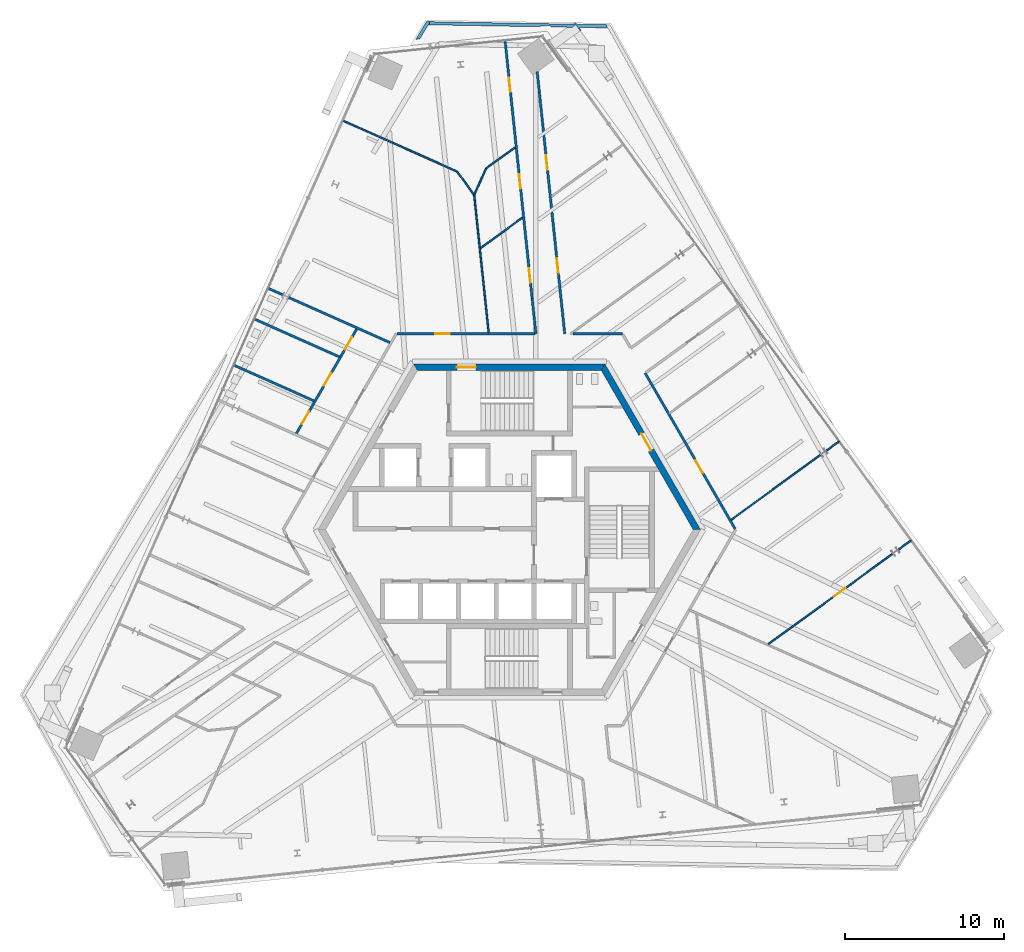
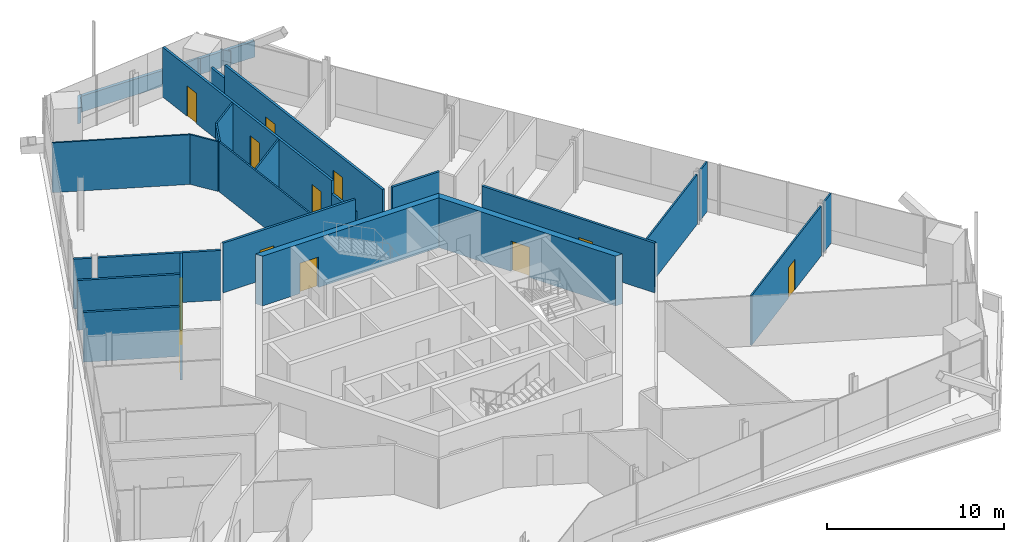
# One storey, part 16 of 21: 26 walls, 13 doors, 13 openings.
"""IFC4 building model written with IfcOpenShell, lengths in metres."""

from ifc_helpers import new_model, si_unit, direction, frame, frame_2d, origin, place, context, subcontext, project, spatial, polyline, rectangle, outline, extrude, source, transform, mapped, material, layer, layer_set, type_object, element, fill, save


model = new_model("IFC4")

# Units and contexts
model_context = context("Model", 3, precision=1e-05, world=origin(), true_north=direction((0.0, 1.0)))
body_context = subcontext(model_context, "Body", "Model", "MODEL_VIEW")
ifc_project = project(units=[si_unit("LENGTHUNIT", "METRE"), si_unit("AREAUNIT", "SQUARE_METRE"), si_unit("VOLUMEUNIT", "CUBIC_METRE"), si_unit("PLANEANGLEUNIT", "RADIAN"), si_unit("MASSUNIT", "GRAM", prefix="KILO")], contexts=[model_context])

# Site, building, storey
site_placement = place(None, origin())
site = spatial("IfcSite", under=ifc_project, at=site_placement, CompositionType="ELEMENT")
building_placement = place(site_placement, origin())
building = spatial("IfcBuilding", under=site, at=building_placement, Name="Triune Harvest Tower", CompositionType="ELEMENT")
storey_placement = place(building_placement, frame((0.0, 0.0, 219.699951171875)))
storey = spatial("IfcBuildingStorey", under=building, at=storey_placement, Name="L57", CompositionType="ELEMENT", Elevation=219.699951171875)

# Wall, openings, doors
ifc_material_1 = material(Name="Gypsum board on steel studs", Category="steel")
ifc_layer_1 = layer(ifc_material_1, 0.14990234375)
ifc_layer_set_1 = layer_set([ifc_layer_1], Name="Gypsum board on steel studs")
wall_type_1 = type_object("IfcWallType", Name="Fire Partition 150 mm", PredefinedType="PARTITIONING", material=ifc_layer_set_1)
wall_1_placement = place(storey_placement, frame((-0.270751953125, 30.701171875, 0.0), z_axis=(0.0, 0.0, 1.0), x_axis=(0.104513866593, -0.994523429432, 0.0)))
wall_1 = element("IfcWall", 1, at=wall_1_placement, inside=storey, type_object=wall_type_1, Name="Partition L57 004", PredefinedType="PARTITIONING", context=body_context, shape_type="SweptSolid", body=[
    extrude(rectangle(XDim=16.283935546875, YDim=0.14990234375, at=frame_2d((8.14208984375, 0.0))), origin(), (0.0, 0.0, 1.0), 3.43994140625),
])
opening_1_placement = place(wall_1_placement, frame((14.379150390625, 0.0, 0.0)))
opening_1 = element("IfcOpeningElement", 2, at=opening_1_placement, cuts=wall_1, Name="Opening L57-006", PredefinedType="OPENING", context=body_context, shape_type="SweptSolid", body=[
    extrude(rectangle(XDim=0.89990234375, YDim=2.10009765625, at=frame_2d((0.449951171875, 1.050048828125))), frame((0.0, 0.0849609375, 0.0), z_axis=(0.0, -1.0, 0.0), x_axis=(1.0, 0.0, 0.0)), (0.0, 0.0, 1.0), 0.169921875),
])
opening_2_placement = place(wall_1_placement, frame((8.445556640625, 0.0, 0.0)))
opening_2 = element("IfcOpeningElement", 3, at=opening_2_placement, cuts=wall_1, Name="Opening L57-008", PredefinedType="OPENING", context=body_context, shape_type="SweptSolid", body=[
    extrude(rectangle(XDim=0.89990234375, YDim=2.10009765625, at=frame_2d((0.449951171875, 1.050048828125))), frame((0.0, 0.0849609375, 0.0), z_axis=(0.0, -1.0, 0.0), x_axis=(1.0, 0.0, 0.0)), (0.0, 0.0, 1.0), 0.169921875),
])
opening_3_placement = place(wall_1_placement, frame((2.35009765625, 0.0, 0.0)))
opening_3 = element("IfcOpeningElement", 4, at=opening_3_placement, cuts=wall_1, Name="Opening L57-010", PredefinedType="OPENING", context=body_context, shape_type="SweptSolid", body=[
    extrude(rectangle(XDim=0.89990234375, YDim=2.10009765625, at=frame_2d((0.449951171875, 1.050048828125))), frame((0.0, 0.0849609375, 0.0), z_axis=(0.0, -1.0, 0.0), x_axis=(1.0, 0.0, 0.0)), (0.0, 0.0, 1.0), 0.169921875),
])
ifc_material_2 = material(Name="Timber and steel door set", Category="steel")
door_type_1 = type_object("IfcDoorType", Name="Single leaf door FD30 left hand 900 x 2100", OperationType="SINGLE_SWING_LEFT", PredefinedType="DOOR", material=ifc_material_2)
door_1_placement = place(opening_1_placement, origin())
door_1 = element("IfcDoor", 5, at=door_1_placement, inside=storey, type_object=door_type_1, Name="Door L57-006 Open Office 57.06", OperationType="SINGLE_SWING_LEFT", OverallHeight=2.10009765625, OverallWidth=0.89990234375, PredefinedType="DOOR", context=body_context, shape_type="SweptSolid", body=[
    extrude(rectangle(XDim=0.89990234375, YDim=2.10009765625, at=frame_2d((0.449951171875, 1.050048828125))), frame((0.0, 0.02490234375, 0.0), z_axis=(0.0, -1.0, 0.0), x_axis=(1.0, 0.0, 0.0)), (0.0, 0.0, 1.0), 0.050048828125),
])
fill(opening_1, door_1)
ifc_material_3 = material(Name="Timber and steel door set", Category="steel")
door_type_2 = type_object("IfcDoorType", Name="Single leaf door FD30 right hand 900 x 2100", OperationType="SINGLE_SWING_RIGHT", PredefinedType="DOOR", material=ifc_material_3)
door_2_placement = place(opening_2_placement, origin())
door_2 = element("IfcDoor", 6, at=door_2_placement, inside=storey, type_object=door_type_2, Name="Door L57-008 Office 57.08", OperationType="SINGLE_SWING_RIGHT", OverallHeight=2.10009765625, OverallWidth=0.89990234375, PredefinedType="DOOR", context=body_context, shape_type="SweptSolid", body=[
    extrude(rectangle(XDim=0.89990234375, YDim=2.10009765625, at=frame_2d((0.449951171875, 1.050048828125))), frame((0.0, 0.02490234375, 0.0), z_axis=(0.0, -1.0, 0.0), x_axis=(1.0, 0.0, 0.0)), (0.0, 0.0, 1.0), 0.050048828125),
])
fill(opening_2, door_2)
door_3_placement = place(opening_3_placement, origin())
door_3 = element("IfcDoor", 7, at=door_3_placement, inside=storey, type_object=door_type_2, Name="Door L57-010 Project Room 57.10", OperationType="SINGLE_SWING_RIGHT", OverallHeight=2.10009765625, OverallWidth=0.89990234375, PredefinedType="DOOR", context=body_context, shape_type="SweptSolid", body=[
    extrude(rectangle(XDim=0.89990234375, YDim=2.10009765625, at=frame_2d((0.449951171875, 1.050048828125))), frame((0.0, 0.02490234375, 0.0), z_axis=(0.0, -1.0, 0.0), x_axis=(1.0, 0.0, 0.0)), (0.0, 0.0, 1.0), 0.050048828125),
])
fill(opening_3, door_3)

# Wall, opening, door
wall_2_placement = place(storey_placement, frame((8.521484375, 9.82470703125, 0.0), z_axis=(0.0, 0.0, 1.0), x_axis=(0.499981909801, -0.866035847914, 0.0)))
wall_2 = element("IfcWall", 8, at=wall_2_placement, inside=storey, type_object=wall_type_1, Name="Partition L57 012", PredefinedType="PARTITIONING", context=body_context, shape_type="SweptSolid", body=[
    extrude(rectangle(XDim=11.294921875, YDim=0.14990234375, at=frame_2d((5.6474609375, 0.0))), origin(), (0.0, 0.0, 1.0), 3.43994140625),
])
opening_4_placement = place(wall_2_placement, frame((6.327392578125, 0.0, 0.0)))
opening_4 = element("IfcOpeningElement", 9, at=opening_4_placement, cuts=wall_2, Name="Opening L57-003", PredefinedType="OPENING", context=body_context, shape_type="SweptSolid", body=[
    extrude(rectangle(XDim=0.89990234375, YDim=2.10009765625, at=frame_2d((0.449951171875, 1.050048828125))), frame((0.0, 0.0849609375, 0.0), z_axis=(0.0, -1.0, 0.0), x_axis=(1.0, 0.0, 0.0)), (0.0, 0.0, 1.0), 0.169921875),
])
door_4_placement = place(opening_4_placement, origin())
door_4 = element("IfcDoor", 10, at=door_4_placement, inside=storey, type_object=door_type_2, Name="Door L57-003 Pantry 57.03", OperationType="SINGLE_SWING_RIGHT", OverallHeight=2.10009765625, OverallWidth=0.89990234375, PredefinedType="DOOR", context=body_context, shape_type="SweptSolid", body=[
    extrude(rectangle(XDim=0.89990234375, YDim=2.10009765625, at=frame_2d((0.449951171875, 1.050048828125))), frame((0.0, 0.02490234375, 0.0), z_axis=(0.0, -1.0, 0.0), x_axis=(1.0, 0.0, 0.0)), (0.0, 0.0, 1.0), 0.050048828125),
])
fill(opening_4, door_4)

# Walls
ifc_material_4 = material(Name="Concrete 40 MPa", Category="concrete")
ifc_layer_2 = layer(ifc_material_4, 0.199951171875)
ifc_layer_set_2 = layer_set([ifc_layer_2], Name="Concrete 40 MPa")
wall_type_2 = type_object("IfcWallType", Name="PA-1 parapet 200", PredefinedType="PARAPET", material=ifc_layer_set_2)
wall_3_placement = place(storey_placement, origin())
element("IfcWall", 11, at=wall_3_placement, inside=storey, type_object=wall_type_2, Name="Parapet wedge L56 3.1", PredefinedType="PARAPET", context=body_context, shape_type="SweptSolid", body=[
    extrude(outline(polyline([(-5.065185546875, 31.67822265625), (-5.088134765625, 31.6787109375), (-5.62060546875, 30.79248046875), (-5.86962890625, 30.766357421875), (-5.2001953125, 31.880615234375), (-5.084716796875, 31.878662109375), (-4.981689453125, 31.81689453125), (-5.065185546875, 31.67822265625)])), origin(), (0.0, 0.0, 1.0), 1.10009765625),
])
wall_4_placement = place(storey_placement, origin())
element("IfcWall", 12, at=wall_4_placement, inside=storey, type_object=wall_type_2, Name="Parapet wedge L56 3.3", PredefinedType="PARAPET", context=body_context, shape_type="SweptSolid", body=[
    extrude(outline(polyline([(-5.084716796875, 31.878662109375), (4.135009765625, 31.7177734375), (4.061279296875, 31.819091796875), (4.15576171875, 31.8173828125), (4.2294921875, 31.716064453125), (6.194091796875, 31.681884765625), (6.089111328125, 31.623779296875), (6.16748046875, 31.482421875), (4.376708984375, 31.513427734375), (4.49951171875, 31.34423828125), (4.4384765625, 31.300048828125), (4.161376953125, 31.681396484375), (3.940673828125, 31.52099609375), (2.61083984375, 31.544189453125), (2.534423828125, 31.649658203125), (1.686279296875, 31.560546875), (-5.065185546875, 31.67822265625), (-4.981689453125, 31.81689453125), (-5.084716796875, 31.878662109375)])), origin(), (0.0, 0.0, 1.0), 1.10009765625),
])
ifc_material_5 = material(Name="Gypsum board on steel studs", Category="steel")
ifc_layer_3 = layer(ifc_material_5, 0.10009765625)
ifc_layer_set_3 = layer_set([ifc_layer_3], Name="Gypsum board on steel studs")
wall_type_3 = type_object("IfcWallType", Name="Partition 100 mm", PredefinedType="PARTITIONING", material=ifc_layer_set_3)
wall_5_placement = place(storey_placement, frame((-3.273193359375, 22.46728515625, 0.0), z_axis=(0.0, 0.0, 1.0), x_axis=(0.587722091707, -0.80906287946, 0.0)))
element("IfcWall", 13, at=wall_5_placement, inside=storey, type_object=wall_type_3, Name="Partition L57 013", PredefinedType="PARTITIONING", context=body_context, shape_type="SweptSolid", body=[
    extrude(rectangle(XDim=1.743896484375, YDim=0.10009765625, at=frame_2d((0.8720703125, 0.0))), origin(), (0.0, 0.0, 1.0), 3.43994140625),
])
wall_6_placement = place(storey_placement, frame((-10.46533203125, 25.675048828125, 0.0), z_axis=(0.0, 0.0, 1.0), x_axis=(0.91354385604, -0.406740240314, 0.0)))
element("IfcWall", 14, at=wall_6_placement, inside=storey, type_object=wall_type_3, Name="Partition L57 034", PredefinedType="PARTITIONING", context=body_context, shape_type="SweptSolid", body=[
    extrude(rectangle(XDim=7.8662109375, YDim=0.10009765625, at=frame_2d((3.93310546875, 0.0))), origin(), (0.0, 0.0, 1.0), 3.43994140625),
])

# Wall, opening, door
wall_7_placement = place(storey_placement, frame((16.250244140625, -7.177978515625, 0.0), z_axis=(0.0, 0.0, 1.0), x_axis=(0.809026809558, 0.587771742615, 0.0)))
wall_7 = element("IfcWall", 15, at=wall_7_placement, inside=storey, type_object=wall_type_3, Name="Partition L57 040", PredefinedType="PARTITIONING", context=body_context, shape_type="SweptSolid", body=[
    extrude(rectangle(XDim=9.692626953125, YDim=0.10009765625, at=frame_2d((4.84619140625, 0.0))), origin(), (0.0, 0.0, 1.0), 3.43994140625),
])
opening_5_placement = place(wall_7_placement, frame((5.090087890625, 0.0, 0.0)))
opening_5 = element("IfcOpeningElement", 16, at=opening_5_placement, cuts=wall_7, Name="Opening L57-001", PredefinedType="OPENING", context=body_context, shape_type="SweptSolid", body=[
    extrude(rectangle(XDim=0.89990234375, YDim=2.10009765625, at=frame_2d((0.449951171875, 1.050048828125))), frame((0.0, 0.06005859375, 0.0), z_axis=(0.0, -1.0, 0.0), x_axis=(1.0, 0.0, 0.0)), (0.0, 0.0, 1.0), 0.1201171875),
])
ifc_material_6 = material(Name="Timber and steel door set", Category="steel")
door_type_3 = type_object("IfcDoorType", Name="Single leaf door left hand 900 x 2100", OperationType="SINGLE_SWING_LEFT", PredefinedType="DOOR", material=ifc_material_6)
door_5_placement = place(opening_5_placement, origin())
door_5 = element("IfcDoor", 17, at=door_5_placement, inside=storey, type_object=door_type_3, Name="Door L57-001 Reception 57.01", OperationType="SINGLE_SWING_LEFT", OverallHeight=2.10009765625, OverallWidth=0.89990234375, PredefinedType="DOOR", context=body_context, shape_type="SweptSolid", body=[
    extrude(rectangle(XDim=0.89990234375, YDim=2.10009765625, at=frame_2d((0.449951171875, 1.050048828125))), frame((0.0, 0.02490234375, 0.0), z_axis=(0.0, -1.0, 0.0), x_axis=(1.0, 0.0, 0.0)), (0.0, 0.0, 1.0), 0.050048828125),
])
fill(opening_5, door_5)

# Walls
wall_8_placement = place(storey_placement, frame((13.90869140625, 0.613037109375, 0.0), z_axis=(0.0, 0.0, 1.0), x_axis=(0.809017724048, 0.587784247983, 0.0)))
element("IfcWall", 18, at=wall_8_placement, inside=storey, type_object=wall_type_3, Name="Partition L57 042", PredefinedType="PARTITIONING", context=body_context, shape_type="SweptSolid", body=[
    extrude(rectangle(XDim=7.007568359375, YDim=0.10009765625, at=frame_2d((3.50390625, 0.0))), origin(), (0.0, 0.0, 1.0), 3.43994140625),
])
wall_9_placement = place(storey_placement, frame((-1.797119140625, 17.678955078125, 0.0), z_axis=(0.0, 0.0, 1.0), x_axis=(0.809019966932, 0.587781160897, 0.0)))
element("IfcWall", 19, at=wall_9_placement, inside=storey, type_object=wall_type_3, Name="Partition L57 055", PredefinedType="PARTITIONING", context=body_context, shape_type="SweptSolid", body=[
    extrude(rectangle(XDim=3.234375, YDim=0.10009765625, at=frame_2d((1.6171875, 0.0))), origin(), (0.0, 0.0, 1.0), 3.43994140625),
])
wall_10_placement = place(storey_placement, frame((-1.46533203125, 22.666259765625, 0.0), z_axis=(0.0, 0.0, 1.0), x_axis=(0.809054831364, 0.58773317062, 0.0)))
element("IfcWall", 20, at=wall_10_placement, inside=storey, type_object=wall_type_3, Name="Partition L57 058", PredefinedType="PARTITIONING", context=body_context, shape_type="SweptSolid", body=[
    extrude(rectangle(XDim=2.25146484375, YDim=0.10009765625, at=frame_2d((1.125732421875, 0.0))), origin(), (0.0, 0.0, 1.0), 3.43994140625),
])
wall_11_placement = place(storey_placement, frame((-2.20703125, 20.999755859375, 0.0), z_axis=(0.0, 0.0, 1.0), x_axis=(0.40677174366, 0.913529829048, 0.0)))
element("IfcWall", 21, at=wall_11_placement, inside=storey, type_object=wall_type_3, Name="Partition L57 063", PredefinedType="PARTITIONING", context=body_context, shape_type="SweptSolid", body=[
    extrude(rectangle(XDim=1.823974609375, YDim=0.10009765625, at=frame_2d((0.912109375, 0.0))), origin(), (0.0, 0.0, 1.0), 3.43994140625),
])

# Wall, opening, door
ifc_material_7 = material(Name="Concrete 70 MPa", Category="concrete")
ifc_layer_4 = layer(ifc_material_7, 0.39990234375)
ifc_layer_set_4 = layer_set([ifc_layer_4], Name="Concrete 70 MPa")
wall_type_4 = type_object("IfcWallType", Name="Core wall 400", PredefinedType="SHEAR", material=ifc_layer_set_4)
shared_shape_1 = source(origin(), body_context, "Body", "SweptSolid", [
    extrude(outline(polyline([(-0.115478515625, -0.199951171875), (11.884521484375, -0.199951171875), (11.653564453125, 0.199951171875), (0.115478515625, 0.199951171875), (-0.115478515625, -0.199951171875)])), origin(), (0.0, 0.0, 1.0), 3.43994140625),
])
wall_12_placement = place(storey_placement, frame((11.76904296875, 0.0, 0.0), z_axis=(0.0, 0.0, 1.0), x_axis=(-0.499996592174, 0.866027371285, 0.0)))
wall_12 = element("IfcWall", 22, at=wall_12_placement, inside=storey, type_object=wall_type_4, Name="Hexagon 0 wall", PredefinedType="SHEAR", context=body_context, shape_type="MappedRepresentation", body=[
    mapped(shared_shape_1, transform((0.0, 0.0, 0.0), scale=1.0)),
])
opening_6_placement = place(wall_12_placement, frame((5.75048828125, 0.0, 0.0)))
opening_6 = element("IfcOpeningElement", 23, at=opening_6_placement, cuts=wall_12, Name="Opening CD-WCP", PredefinedType="OPENING", context=body_context, shape_type="SweptSolid", body=[
    extrude(rectangle(XDim=1.199951171875, YDim=2.10009765625, at=frame_2d((0.60009765625, 1.050048828125))), frame((0.0, 0.2099609375, 0.0), z_axis=(0.0, -1.0, 0.0), x_axis=(1.0, 0.0, 0.0)), (0.0, 0.0, 1.0), 0.419921875),
])
ifc_material_8 = material(Name="Steel S235", Category="steel")
door_type_4 = type_object("IfcDoorType", Name="Lobby door 1200 FD120", OperationType="SINGLE_SWING_LEFT", PredefinedType="DOOR", material=ifc_material_8)
door_6_placement = place(opening_6_placement, frame((1.199951171875, 0.0, 0.0), z_axis=(0.0, 0.0, 1.0), x_axis=(-1.0, 0.0, 0.0)))
door_6 = element("IfcDoor", 24, at=door_6_placement, inside=storey, type_object=door_type_4, Name="Door CD-WCP", OperationType="SINGLE_SWING_RIGHT", OverallHeight=2.10009765625, OverallWidth=1.199951171875, PredefinedType="DOOR", context=body_context, shape_type="SweptSolid", body=[
    extrude(rectangle(XDim=1.199951171875, YDim=2.10009765625, at=frame_2d((0.60009765625, 1.050048828125))), frame((0.0, 0.02490234375, 0.0), z_axis=(0.0, -1.0, 0.0), x_axis=(1.0, 0.0, 0.0)), (0.0, 0.0, 1.0), 0.050048828125),
])
fill(opening_6, door_6)

wall_13_placement = place(storey_placement, frame((5.884521484375, 10.1923828125, 0.0), z_axis=(0.0, 0.0, 1.0), x_axis=(-1.0, 0.0, 0.0)))
wall_13 = element("IfcWall", 25, at=wall_13_placement, inside=storey, type_object=wall_type_4, Name="Hexagon 1 wall", PredefinedType="SHEAR", context=body_context, shape_type="MappedRepresentation", body=[
    mapped(shared_shape_1, transform((0.0, 0.0, 0.0), scale=1.0)),
])
opening_7_placement = place(wall_13_placement, frame((7.984619140625, 0.0, 0.0)))
opening_7 = element("IfcOpeningElement", 26, at=opening_7_placement, cuts=wall_13, Name="Opening CD-S1P", PredefinedType="OPENING", context=body_context, shape_type="SweptSolid", body=[
    extrude(rectangle(XDim=1.199951171875, YDim=2.10009765625, at=frame_2d((0.60009765625, 1.050048828125))), frame((0.0, 0.2099609375, 0.0), z_axis=(0.0, -1.0, 0.0), x_axis=(1.0, 0.0, 0.0)), (0.0, 0.0, 1.0), 0.419921875),
])
ifc_material_9 = material(Name="Steel S235", Category="steel")
door_type_5 = type_object("IfcDoorType", Name="Stair door 1200 FD120", OperationType="SINGLE_SWING_LEFT", PredefinedType="DOOR", material=ifc_material_9)
door_7_placement = place(opening_7_placement, frame((1.199951171875, 0.0, 0.0), z_axis=(0.0, 0.0, 1.0), x_axis=(-1.0, 0.0, 0.0)))
door_7 = element("IfcDoor", 27, at=door_7_placement, inside=storey, type_object=door_type_5, Name="Door CD-S1P", OperationType="SINGLE_SWING_RIGHT", OverallHeight=2.10009765625, OverallWidth=1.199951171875, PredefinedType="DOOR", context=body_context, shape_type="SweptSolid", body=[
    extrude(rectangle(XDim=1.199951171875, YDim=2.10009765625, at=frame_2d((0.60009765625, 1.050048828125))), frame((0.0, 0.02490234375, 0.0), z_axis=(0.0, -1.0, 0.0), x_axis=(1.0, 0.0, 0.0)), (0.0, 0.0, 1.0), 0.050048828125),
])
fill(opening_7, door_7)

# Walls
shared_shape_2 = source(origin(), body_context, "Body", "SweptSolid", [
    extrude(rectangle(XDim=8.695556640625, YDim=0.10009765625, at=frame_2d((4.34765625, 0.0))), origin(), (0.0, 0.0, 1.0), 3.43994140625),
])
wall_14_placement = place(storey_placement, frame((-2.20751953125, 21.0, 0.0), z_axis=(0.0, 0.0, 1.0), x_axis=(0.104556171075, -0.99451898277, 0.0)))
element("IfcWall", 28, at=wall_14_placement, inside=storey, type_object=wall_type_3, Name="Partition L57 001", PredefinedType="PARTITIONING", context=body_context, shape_type="MappedRepresentation", body=[
    mapped(shared_shape_2, transform((0.0, 0.0, 0.0), scale=1.0)),
])
shared_shape_3 = source(origin(), body_context, "Body", "SweptSolid", [
    extrude(rectangle(XDim=1.0478515625, YDim=0.10009765625, at=frame_2d((0.52392578125, 0.0))), origin(), (0.0, 0.0, 1.0), 3.43994140625),
])
wall_15_placement = place(storey_placement, frame((24.36328125, -1.28369140625, 0.0), z_axis=(0.0, 0.0, 1.0), x_axis=(0.808967759712, 0.587853012025, 0.0)))
element("IfcWall", 29, at=wall_15_placement, inside=storey, type_object=wall_type_3, Name="Partition L57 041", PredefinedType="PARTITIONING", context=body_context, shape_type="MappedRepresentation", body=[
    mapped(shared_shape_3, transform((0.0, 0.0, 0.0), scale=1.0)),
])
shared_shape_4 = source(origin(), body_context, "Body", "SweptSolid", [
    extrude(rectangle(XDim=2.226318359375, YDim=0.14990234375, at=frame_2d((1.11328125, 0.0))), origin(), (0.0, 0.0, 1.0), 2.525634765625),
])
wall_16_placement = place(storey_placement, frame((1.43115234375, 14.50634765625, 0.0), z_axis=(0.0, 0.0, 1.0), x_axis=(0.104507821551, -0.994524064684, 0.0)))
element("IfcWall", 30, at=wall_16_placement, inside=storey, type_object=wall_type_1, Name="Partition L57 004a", PredefinedType="PARTITIONING", context=body_context, shape_type="MappedRepresentation", body=[
    mapped(shared_shape_4, transform((0.0, 0.0, 0.0), scale=1.0)),
])
shared_shape_5 = source(origin(), body_context, "Body", "SweptSolid", [
    extrude(rectangle(XDim=1.342041015625, YDim=0.14990234375, at=frame_2d((0.6708984375, 0.0))), origin(), (0.0, 0.0, 1.0), 2.525634765625),
])
wall_17_placement = place(storey_placement, frame((1.744873046875, 28.7373046875, 0.0), z_axis=(0.0, 0.0, 1.0), x_axis=(0.104599559478, -0.994514420286, 0.0)))
element("IfcWall", 31, at=wall_17_placement, inside=storey, type_object=wall_type_1, Name="Partition L57 006", PredefinedType="PARTITIONING", context=body_context, shape_type="MappedRepresentation", body=[
    mapped(shared_shape_5, transform((0.0, 0.0, 0.0), scale=1.0)),
])

# Wall, openings, doors
shared_shape_6 = source(origin(), body_context, "Body", "SweptSolid", [
    extrude(rectangle(XDim=15.193603515625, YDim=0.14990234375, at=frame_2d((7.5966796875, 0.0))), origin(), (0.0, 0.0, 1.0), 3.43994140625),
])
wall_18_placement = place(storey_placement, frame((1.88525390625, 27.402587890625, 0.0), z_axis=(0.0, 0.0, 1.0), x_axis=(0.104542586969, -0.994520410806, 0.0)))
wall_18 = element("IfcWall", 32, at=wall_18_placement, inside=storey, type_object=wall_type_1, Name="Partition L57 006a", PredefinedType="PARTITIONING", context=body_context, shape_type="MappedRepresentation", body=[
    mapped(shared_shape_6, transform((0.0, 0.0, 0.0), scale=1.0)),
])
opening_8_placement = place(wall_18_placement, frame((10.443603515625, 0.0, 0.0)))
opening_8 = element("IfcOpeningElement", 33, at=opening_8_placement, cuts=wall_18, Name="Opening L57-007", PredefinedType="OPENING", context=body_context, shape_type="SweptSolid", body=[
    extrude(rectangle(XDim=0.89990234375, YDim=2.10009765625, at=frame_2d((0.449951171875, 1.050048828125))), frame((0.0, 0.0849609375, 0.0), z_axis=(0.0, -1.0, 0.0), x_axis=(1.0, 0.0, 0.0)), (0.0, 0.0, 1.0), 0.169921875),
])
opening_9_placement = place(wall_18_placement, frame((3.93408203125, 0.0, 0.0)))
opening_9 = element("IfcOpeningElement", 34, at=opening_9_placement, cuts=wall_18, Name="Opening L57-009", PredefinedType="OPENING", context=body_context, shape_type="SweptSolid", body=[
    extrude(rectangle(XDim=0.89990234375, YDim=2.10009765625, at=frame_2d((0.449951171875, 1.050048828125))), frame((0.0, 0.0849609375, 0.0), z_axis=(0.0, -1.0, 0.0), x_axis=(1.0, 0.0, 0.0)), (0.0, 0.0, 1.0), 0.169921875),
])
door_8_placement = place(opening_9_placement, origin())
door_8 = element("IfcDoor", 35, at=door_8_placement, inside=storey, type_object=door_type_1, Name="Door L57-009 Office 57.09", OperationType="SINGLE_SWING_LEFT", OverallHeight=2.10009765625, OverallWidth=0.89990234375, PredefinedType="DOOR", context=body_context, shape_type="SweptSolid", body=[
    extrude(rectangle(XDim=0.89990234375, YDim=2.10009765625, at=frame_2d((0.449951171875, 1.050048828125))), frame((0.0, 0.02490234375, 0.0), z_axis=(0.0, -1.0, 0.0), x_axis=(1.0, 0.0, 0.0)), (0.0, 0.0, 1.0), 0.050048828125),
])
fill(opening_9, door_8)
door_9_placement = place(opening_8_placement, origin())
door_9 = element("IfcDoor", 36, at=door_9_placement, inside=storey, type_object=door_type_2, Name="Door L57-007 Open Office 57.07", OperationType="SINGLE_SWING_RIGHT", OverallHeight=2.10009765625, OverallWidth=0.89990234375, PredefinedType="DOOR", context=body_context, shape_type="SweptSolid", body=[
    extrude(rectangle(XDim=0.89990234375, YDim=2.10009765625, at=frame_2d((0.449951171875, 1.050048828125))), frame((0.0, 0.02490234375, 0.0), z_axis=(0.0, -1.0, 0.0), x_axis=(1.0, 0.0, 0.0)), (0.0, 0.0, 1.0), 0.050048828125),
])
fill(opening_8, door_9)

# Walls
shared_shape_7 = source(origin(), body_context, "Body", "SweptSolid", [
    extrude(rectangle(XDim=1.047607421875, YDim=0.10009765625, at=frame_2d((0.52392578125, 0.0))), origin(), (0.0, 0.0, 1.0), 3.43994140625),
])
wall_19_placement = place(storey_placement, frame((19.849365234375, 4.92919921875, 0.0), z_axis=(0.0, 0.0, 1.0), x_axis=(0.809078563498, 0.587700500329, 0.0)))
element("IfcWall", 37, at=wall_19_placement, inside=storey, type_object=wall_type_3, Name="Partition L57 043", PredefinedType="PARTITIONING", context=body_context, shape_type="MappedRepresentation", body=[
    mapped(shared_shape_7, transform((0.0, 0.0, 0.0), scale=1.0)),
])
shared_shape_8 = source(origin(), body_context, "Body", "SweptSolid", [
    extrude(rectangle(XDim=5.523193359375, YDim=0.14990234375, at=frame_2d((2.76171875, 0.0))), origin(), (0.0, 0.0, 1.0), 3.43994140625),
])
wall_20_placement = place(storey_placement, frame((-17.2978515625, 10.32861328125, 0.0), z_axis=(0.0, 0.0, 1.0), x_axis=(0.913554347178, -0.406716676266, 0.0)))
element("IfcWall", 38, at=wall_20_placement, inside=storey, type_object=wall_type_1, Name="Partition L57 030", PredefinedType="PARTITIONING", context=body_context, shape_type="MappedRepresentation", body=[
    mapped(shared_shape_8, transform((0.0, 0.0, 0.0), scale=1.0)),
])
shared_shape_9 = source(origin(), body_context, "Body", "SweptSolid", [
    extrude(rectangle(XDim=5.85595703125, YDim=0.14990234375, at=frame_2d((2.927978515625, 0.0))), origin(), (0.0, 0.0, 1.0), 3.43994140625),
])
wall_21_placement = place(storey_placement, frame((-16.009521484375, 13.222412109375, 0.0), z_axis=(0.0, 0.0, 1.0), x_axis=(0.913543148674, -0.406741829065, 0.0)))
element("IfcWall", 39, at=wall_21_placement, inside=storey, type_object=wall_type_1, Name="Partition L57 031", PredefinedType="PARTITIONING", context=body_context, shape_type="MappedRepresentation", body=[
    mapped(shared_shape_9, transform((0.0, 0.0, 0.0), scale=1.0)),
])
shared_shape_10 = source(origin(), body_context, "Body", "SweptSolid", [
    extrude(rectangle(XDim=1.0478515625, YDim=0.14990234375, at=frame_2d((0.52392578125, 0.0))), origin(), (0.0, 0.0, 1.0), 3.43994140625),
])
wall_22_placement = place(storey_placement, frame((-15.150634765625, 15.151611328125, 0.0), z_axis=(0.0, 0.0, 1.0), x_axis=(0.913609658968, -0.406592413899, 0.0)))
element("IfcWall", 40, at=wall_22_placement, inside=storey, type_object=wall_type_1, Name="Partition L57 032", PredefinedType="PARTITIONING", context=body_context, shape_type="MappedRepresentation", body=[
    mapped(shared_shape_10, transform((0.0, 0.0, 0.0), scale=1.0)),
])
shared_shape_11 = source(origin(), body_context, "Body", "SweptSolid", [
    extrude(rectangle(XDim=7.007080078125, YDim=0.14990234375, at=frame_2d((3.50341796875, 0.0))), origin(), (0.0, 0.0, 1.0), 3.43994140625),
])
wall_23_placement = place(storey_placement, frame((-13.88671875, 14.589111328125, 0.0), z_axis=(0.0, 0.0, 1.0), x_axis=(0.913544112906, -0.406739663389, 0.0)))
element("IfcWall", 41, at=wall_23_placement, inside=storey, type_object=wall_type_1, Name="Partition L57 033", PredefinedType="PARTITIONING", context=body_context, shape_type="MappedRepresentation", body=[
    mapped(shared_shape_11, transform((0.0, 0.0, 0.0), scale=1.0)),
])

# Wall, opening, door
shared_shape_12 = source(origin(), body_context, "Body", "SweptSolid", [
    extrude(rectangle(XDim=8.651123046875, YDim=0.14990234375, at=frame_2d((4.32568359375, 0.0))), origin(), (0.0, 0.0, 1.0), 3.43994140625),
])
wall_24_placement = place(storey_placement, frame((-7.047119140625, 12.292236328125, 0.0), z_axis=(0.0, 0.0, 1.0), x_axis=(1.0, 0.0, 0.0)))
wall_24 = element("IfcWall", 42, at=wall_24_placement, inside=storey, type_object=wall_type_1, Name="Partition L57 037", PredefinedType="PARTITIONING", context=body_context, shape_type="MappedRepresentation", body=[
    mapped(shared_shape_12, transform((0.0, 0.0, 0.0), scale=1.0)),
])
opening_10_placement = place(wall_24_placement, frame((2.405029296875, 0.0, 0.0)))
opening_10 = element("IfcOpeningElement", 43, at=opening_10_placement, cuts=wall_24, Name="Opening L57-011", PredefinedType="OPENING", context=body_context, shape_type="SweptSolid", body=[
    extrude(rectangle(XDim=0.89990234375, YDim=2.10009765625, at=frame_2d((0.449951171875, 1.050048828125))), frame((0.0, 0.0849609375, 0.0), z_axis=(0.0, -1.0, 0.0), x_axis=(1.0, 0.0, 0.0)), (0.0, 0.0, 1.0), 0.169921875),
])
door_10_placement = place(opening_10_placement, origin())
door_10 = element("IfcDoor", 44, at=door_10_placement, inside=storey, type_object=door_type_1, Name="Door L57-011 Office 57.11", OperationType="SINGLE_SWING_LEFT", OverallHeight=2.10009765625, OverallWidth=0.89990234375, PredefinedType="DOOR", context=body_context, shape_type="SweptSolid", body=[
    extrude(rectangle(XDim=0.89990234375, YDim=2.10009765625, at=frame_2d((0.449951171875, 1.050048828125))), frame((0.0, 0.02490234375, 0.0), z_axis=(0.0, -1.0, 0.0), x_axis=(1.0, 0.0, 0.0)), (0.0, 0.0, 1.0), 0.050048828125),
])
fill(opening_10, door_10)

# Wall
shared_shape_13 = source(origin(), body_context, "Body", "SweptSolid", [
    extrude(rectangle(XDim=3.093017578125, YDim=0.14990234375, at=frame_2d((1.54638671875, 0.0))), origin(), (0.0, 0.0, 1.0), 3.43994140625),
])
wall_25_placement = place(storey_placement, frame((4.00390625, 12.292236328125, 0.0), z_axis=(0.0, 0.0, 1.0), x_axis=(1.0, 0.0, 0.0)))
element("IfcWall", 45, at=wall_25_placement, inside=storey, type_object=wall_type_1, Name="Partition L57 038", PredefinedType="PARTITIONING", context=body_context, shape_type="MappedRepresentation", body=[
    mapped(shared_shape_13, transform((0.0, 0.0, 0.0), scale=1.0)),
])

# Wall, openings, doors
shared_shape_14 = source(origin(), body_context, "Body", "SweptSolid", [
    extrude(rectangle(XDim=7.72216796875, YDim=0.14990234375, at=frame_2d((3.861083984375, 0.0))), origin(), (0.0, 0.0, 1.0), 3.43994140625),
])
wall_26_placement = place(storey_placement, frame((-13.404296875, 5.9677734375, 0.0), z_axis=(0.0, 0.0, 1.0), x_axis=(0.500005250434, 0.866022372424, 0.0)))
wall_26 = element("IfcWall", 46, at=wall_26_placement, inside=storey, type_object=wall_type_1, Name="Partition L57 061", PredefinedType="PARTITIONING", context=body_context, shape_type="MappedRepresentation", body=[
    mapped(shared_shape_14, transform((0.0, 0.0, 0.0), scale=1.0)),
])
opening_11_placement = place(wall_26_placement, frame((6.172119140625, 0.0, 0.0)))
opening_11 = element("IfcOpeningElement", 47, at=opening_11_placement, cuts=wall_26, Name="Opening L57-013", PredefinedType="OPENING", context=body_context, shape_type="SweptSolid", body=[
    extrude(rectangle(XDim=0.89990234375, YDim=2.10009765625, at=frame_2d((0.449951171875, 1.050048828125))), frame((0.0, 0.0849609375, 0.0), z_axis=(0.0, -1.0, 0.0), x_axis=(1.0, 0.0, 0.0)), (0.0, 0.0, 1.0), 0.169921875),
])
opening_12_placement = place(wall_26_placement, frame((3.548583984375, 0.0, 0.0)))
opening_12 = element("IfcOpeningElement", 48, at=opening_12_placement, cuts=wall_26, Name="Opening L57-014", PredefinedType="OPENING", context=body_context, shape_type="SweptSolid", body=[
    extrude(rectangle(XDim=0.89990234375, YDim=2.10009765625, at=frame_2d((0.449951171875, 1.050048828125))), frame((0.0, 0.0849609375, 0.0), z_axis=(0.0, -1.0, 0.0), x_axis=(1.0, 0.0, 0.0)), (0.0, 0.0, 1.0), 0.169921875),
])
opening_13_placement = place(wall_26_placement, frame((0.763427734375, 0.0, 0.0)))
opening_13 = element("IfcOpeningElement", 49, at=opening_13_placement, cuts=wall_26, Name="Opening L57-015", PredefinedType="OPENING", context=body_context, shape_type="SweptSolid", body=[
    extrude(rectangle(XDim=0.89990234375, YDim=2.10009765625, at=frame_2d((0.449951171875, 1.050048828125))), frame((0.0, 0.0849609375, 0.0), z_axis=(0.0, -1.0, 0.0), x_axis=(1.0, 0.0, 0.0)), (0.0, 0.0, 1.0), 0.169921875),
])
door_11_placement = place(opening_13_placement, origin())
door_11 = element("IfcDoor", 50, at=door_11_placement, inside=storey, type_object=door_type_1, Name="Door L57-015 Accessible WC 57.15", OperationType="SINGLE_SWING_LEFT", OverallHeight=2.10009765625, OverallWidth=0.89990234375, PredefinedType="DOOR", context=body_context, shape_type="SweptSolid", body=[
    extrude(rectangle(XDim=0.89990234375, YDim=2.10009765625, at=frame_2d((0.449951171875, 1.050048828125))), frame((0.0, 0.02490234375, 0.0), z_axis=(0.0, -1.0, 0.0), x_axis=(1.0, 0.0, 0.0)), (0.0, 0.0, 1.0), 0.050048828125),
])
fill(opening_13, door_11)
door_12_placement = place(opening_11_placement, origin())
door_12 = element("IfcDoor", 51, at=door_12_placement, inside=storey, type_object=door_type_2, Name="Door L57-013 Women's WC 57.13", OperationType="SINGLE_SWING_RIGHT", OverallHeight=2.10009765625, OverallWidth=0.89990234375, PredefinedType="DOOR", context=body_context, shape_type="SweptSolid", body=[
    extrude(rectangle(XDim=0.89990234375, YDim=2.10009765625, at=frame_2d((0.449951171875, 1.050048828125))), frame((0.0, 0.02490234375, 0.0), z_axis=(0.0, -1.0, 0.0), x_axis=(1.0, 0.0, 0.0)), (0.0, 0.0, 1.0), 0.050048828125),
])
fill(opening_11, door_12)
door_13_placement = place(opening_12_placement, origin())
door_13 = element("IfcDoor", 52, at=door_13_placement, inside=storey, type_object=door_type_2, Name="Door L57-014 Men's WC 57.14", OperationType="SINGLE_SWING_RIGHT", OverallHeight=2.10009765625, OverallWidth=0.89990234375, PredefinedType="DOOR", context=body_context, shape_type="SweptSolid", body=[
    extrude(rectangle(XDim=0.89990234375, YDim=2.10009765625, at=frame_2d((0.449951171875, 1.050048828125))), frame((0.0, 0.02490234375, 0.0), z_axis=(0.0, -1.0, 0.0), x_axis=(1.0, 0.0, 0.0)), (0.0, 0.0, 1.0), 0.050048828125),
])
fill(opening_12, door_13)

save(model, "model.ifc")
